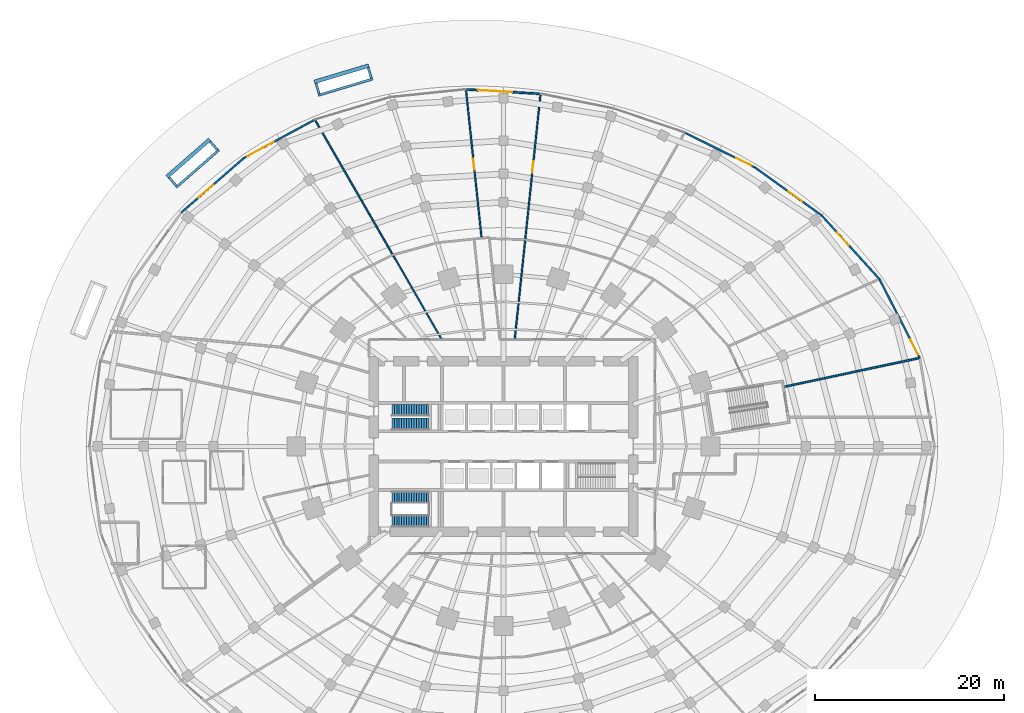
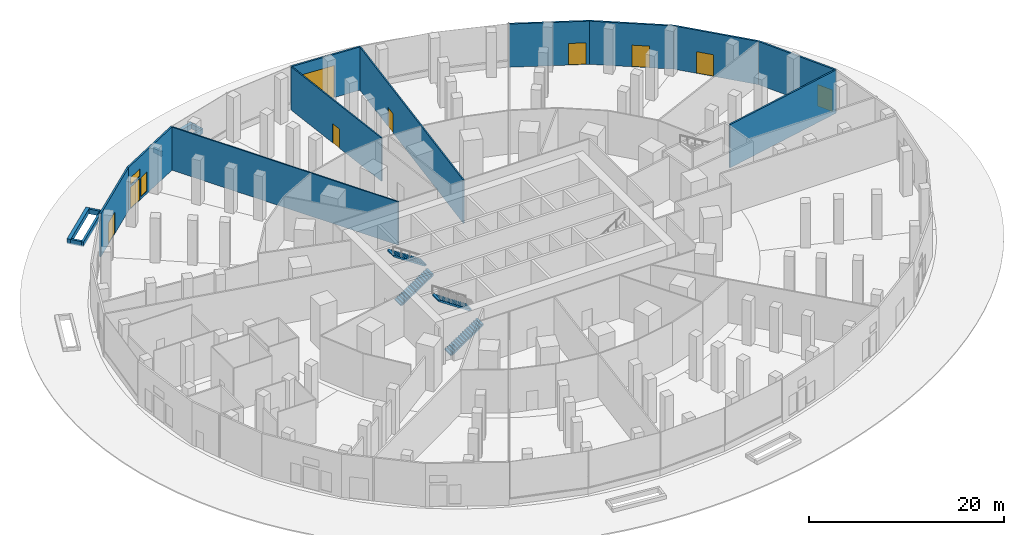
# One storey, part 20 of 23: 19 walls, 9 doors, 4 stair flights, 2 windows, 11 openings, 2 elements without a shape of their own.
"""IFC4 building model written with IfcOpenShell, lengths in metres."""

from ifc_helpers import new_model, si_unit, direction, frame, frame_2d, origin, place, context, subcontext, project, spatial, polyline, rectangle, outline, extrude, material, layer, layer_set, type_object, element, fill, aggregate, save


model = new_model("IFC4")

# Units and contexts
model_context = context("Model", 3, precision=1e-05, world=origin(), true_north=direction((0.0, 1.0)))
body_context = subcontext(model_context, "Body", "Model", "MODEL_VIEW")
ifc_project = project(units=[si_unit("LENGTHUNIT", "METRE"), si_unit("AREAUNIT", "SQUARE_METRE"), si_unit("VOLUMEUNIT", "CUBIC_METRE"), si_unit("PLANEANGLEUNIT", "RADIAN"), si_unit("MASSUNIT", "GRAM", prefix="KILO")], contexts=[model_context])

# Site, building, storey
site_placement = place(None, origin())
site = spatial("IfcSite", under=ifc_project, at=site_placement, CompositionType="ELEMENT")
building_placement = place(site_placement, origin())
building = spatial("IfcBuilding", under=site, at=building_placement, Name="Marramba Exchange Tower", CompositionType="ELEMENT")
storey_placement = place(building_placement, origin())
storey = spatial("IfcBuildingStorey", under=building, at=storey_placement, Name="L00", CompositionType="ELEMENT", Elevation=0.0)

# Wall, opening, door
ifc_material_1 = material(Name="Aluminium-framed bronze cladding on steel studs", Category="steel")
ifc_layer_1 = layer(ifc_material_1, 0.199951171875)
ifc_layer_set_1 = layer_set([ifc_layer_1], Name="Door screen wall 200")
wall_type_1 = type_object("IfcWallType", Name="Door screen wall 200", PredefinedType="SOLIDWALL", material=ifc_layer_set_1)
wall_1_placement = place(storey_placement, frame((44.00244140625, 9.35302734375, 0.0), z_axis=(0.0, 0.0, 1.0), x_axis=(-0.455866804963, 0.890048007769, 0.0)))
wall_1 = element("IfcWall", 1, at=wall_1_placement, inside=storey, type_object=wall_type_1, Name="Door screen L00 F02", PredefinedType="SOLIDWALL", context=body_context, shape_type="SweptSolid", body=[
    extrude(rectangle(XDim=9.36669921875, YDim=0.199951171875, at=frame_2d((4.683349609375, 0.0))), origin(), (0.0, 0.0, 1.0), 5.39990234375),
])
opening_1_placement = place(wall_1_placement, frame((0.39990234375, 0.0, 0.0)))
opening_1 = element("IfcOpeningElement", 2, at=opening_1_placement, cuts=wall_1, Name="Opening D14", PredefinedType="OPENING", context=body_context, shape_type="SweptSolid", body=[
    extrude(rectangle(XDim=1.800048828125, YDim=2.699951171875, at=frame_2d((0.89990234375, 1.35009765625))), frame((0.0, 0.10986328125, 0.0), z_axis=(0.0, -1.0, 0.0), x_axis=(1.0, 0.0, 0.0)), (0.0, 0.0, 1.0), 0.219970703125),
])
ifc_material_2 = material(Name="Aluminium-framed glazed door, bronze", Category="aluminium")
door_type_1 = type_object("IfcDoorType", Name="Street exit door 1800x2700", OperationType="DOUBLE_DOOR_SINGLE_SWING", PredefinedType="DOOR", material=ifc_material_2)
door_1_placement = place(opening_1_placement, frame((1.800048828125, 0.0, 0.0), z_axis=(0.0, 0.0, 1.0), x_axis=(-1.0, 0.0, 0.0)))
door_1 = element("IfcDoor", 3, at=door_1_placement, inside=storey, type_object=door_type_1, Name="D14 L00", OperationType="DOUBLE_DOOR_SINGLE_SWING", OverallHeight=2.699951171875, OverallWidth=1.800048828125, PredefinedType="DOOR", context=body_context, shape_type="SweptSolid", body=[
    extrude(rectangle(XDim=1.800048828125, YDim=2.699951171875, at=frame_2d((0.900146484375, 1.35009765625))), frame((0.0, 0.025146484375, 0.0), z_axis=(0.0, -1.0, 0.0), x_axis=(1.0, 0.0, 0.0)), (0.0, 0.0, 1.0), 0.050048828125),
])
fill(opening_1, door_1)

wall_2_placement = place(storey_placement, frame((39.732421875, 17.68994140625, 0.0), z_axis=(0.0, 0.0, 1.0), x_axis=(-0.672185050873, 0.740383182806, 0.0)))
wall_2 = element("IfcWall", 4, at=wall_2_placement, inside=storey, type_object=wall_type_1, Name="Door screen L00 F03", PredefinedType="SOLIDWALL", context=body_context, shape_type="SweptSolid", body=[
    extrude(rectangle(XDim=9.096435546875, YDim=0.199951171875, at=frame_2d((4.54833984375, 0.0))), origin(), (0.0, 0.0, 1.0), 5.39990234375),
])
opening_2_placement = place(wall_2_placement, frame((4.8662109375, 0.0, 0.0)))
opening_2 = element("IfcOpeningElement", 5, at=opening_2_placement, cuts=wall_2, Name="Opening D14", PredefinedType="OPENING", context=body_context, shape_type="SweptSolid", body=[
    extrude(rectangle(XDim=1.800048828125, YDim=2.699951171875, at=frame_2d((0.89990234375, 1.35009765625))), frame((0.0, 0.10986328125, 0.0), z_axis=(0.0, -1.0, 0.0), x_axis=(1.0, 0.0, 0.0)), (0.0, 0.0, 1.0), 0.219970703125),
])
door_2_placement = place(opening_2_placement, frame((1.800048828125, 0.0, 0.0), z_axis=(0.0, 0.0, 1.0), x_axis=(-1.0, 0.0, 0.0)))
door_2 = element("IfcDoor", 6, at=door_2_placement, inside=storey, type_object=door_type_1, Name="D14 L00", OperationType="DOUBLE_DOOR_SINGLE_SWING", OverallHeight=2.699951171875, OverallWidth=1.800048828125, PredefinedType="DOOR", context=body_context, shape_type="SweptSolid", body=[
    extrude(rectangle(XDim=1.800048828125, YDim=2.699951171875, at=frame_2d((0.900146484375, 1.35009765625))), frame((0.0, 0.025146484375, 0.0), z_axis=(0.0, -1.0, 0.0), x_axis=(1.0, 0.0, 0.0)), (0.0, 0.0, 1.0), 0.050048828125),
])
fill(opening_2, door_2)

wall_3_placement = place(storey_placement, frame((33.617919921875, 24.4248046875, 0.0), z_axis=(0.0, 0.0, 1.0), x_axis=(-0.811842698993, 0.583876212987, 0.0)))
wall_3 = element("IfcWall", 7, at=wall_3_placement, inside=storey, type_object=wall_type_1, Name="Door screen L00 F04", PredefinedType="SOLIDWALL", context=body_context, shape_type="SweptSolid", body=[
    extrude(rectangle(XDim=8.69189453125, YDim=0.199951171875, at=frame_2d((4.345947265625, 0.0))), origin(), (0.0, 0.0, 1.0), 5.39990234375),
])
opening_3_placement = place(wall_3_placement, frame((2.531982421875, 0.0, 0.0)))
opening_3 = element("IfcOpeningElement", 8, at=opening_3_placement, cuts=wall_3, Name="Opening D14", PredefinedType="OPENING", context=body_context, shape_type="SweptSolid", body=[
    extrude(rectangle(XDim=1.800048828125, YDim=2.699951171875, at=frame_2d((0.89990234375, 1.35009765625))), frame((0.0, 0.10986328125, 0.0), z_axis=(0.0, -1.0, 0.0), x_axis=(1.0, 0.0, 0.0)), (0.0, 0.0, 1.0), 0.219970703125),
])
door_3_placement = place(opening_3_placement, frame((1.800048828125, 0.0, 0.0), z_axis=(0.0, 0.0, 1.0), x_axis=(-1.0, 0.0, 0.0)))
door_3 = element("IfcDoor", 9, at=door_3_placement, inside=storey, type_object=door_type_1, Name="D14 L00", OperationType="DOUBLE_DOOR_SINGLE_SWING", OverallHeight=2.699951171875, OverallWidth=1.800048828125, PredefinedType="DOOR", context=body_context, shape_type="SweptSolid", body=[
    extrude(rectangle(XDim=1.800048828125, YDim=2.699951171875, at=frame_2d((0.900146484375, 1.35009765625))), frame((0.0, 0.025146484375, 0.0), z_axis=(0.0, -1.0, 0.0), x_axis=(1.0, 0.0, 0.0)), (0.0, 0.0, 1.0), 0.050048828125),
])
fill(opening_3, door_3)

wall_4_placement = place(storey_placement, frame((26.5615234375, 29.499755859375, 0.0), z_axis=(0.0, 0.0, 1.0), x_axis=(-0.896091912652, 0.443868543693, 0.0)))
wall_4 = element("IfcWall", 10, at=wall_4_placement, inside=storey, type_object=wall_type_1, Name="Door screen L00 F05", PredefinedType="SOLIDWALL", context=body_context, shape_type="SweptSolid", body=[
    extrude(rectangle(XDim=8.269775390625, YDim=0.199951171875, at=frame_2d((4.134765625, 0.0))), origin(), (0.0, 0.0, 1.0), 5.39990234375),
])
opening_4_placement = place(wall_4_placement, frame((0.39990234375, 0.0, 0.0)))
opening_4 = element("IfcOpeningElement", 11, at=opening_4_placement, cuts=wall_4, Name="Opening D14", PredefinedType="OPENING", context=body_context, shape_type="SweptSolid", body=[
    extrude(rectangle(XDim=1.800048828125, YDim=2.699951171875, at=frame_2d((0.89990234375, 1.35009765625))), frame((0.0, 0.10986328125, 0.0), z_axis=(0.0, -1.0, 0.0), x_axis=(1.0, 0.0, 0.0)), (0.0, 0.0, 1.0), 0.219970703125),
])
door_4_placement = place(opening_4_placement, frame((1.800048828125, 0.0, 0.0), z_axis=(0.0, 0.0, 1.0), x_axis=(-1.0, 0.0, 0.0)))
door_4 = element("IfcDoor", 12, at=door_4_placement, inside=storey, type_object=door_type_1, Name="D14 L00", OperationType="DOUBLE_DOOR_SINGLE_SWING", OverallHeight=2.699951171875, OverallWidth=1.800048828125, PredefinedType="DOOR", context=body_context, shape_type="SweptSolid", body=[
    extrude(rectangle(XDim=1.800048828125, YDim=2.699951171875, at=frame_2d((0.900146484375, 1.35009765625))), frame((0.0, 0.025146484375, 0.0), z_axis=(0.0, -1.0, 0.0), x_axis=(1.0, 0.0, 0.0)), (0.0, 0.0, 1.0), 0.050048828125),
])
fill(opening_4, door_4)

wall_5_placement = place(storey_placement, frame((3.917236328125, 37.269287109375, 0.0), z_axis=(0.0, 0.0, 1.0), x_axis=(-0.998244288685, 0.059231242672, 0.0)))
wall_5 = element("IfcWall", 13, at=wall_5_placement, inside=storey, type_object=wall_type_1, Name="Door screen L00 F08", PredefinedType="SOLIDWALL", context=body_context, shape_type="SweptSolid", body=[
    extrude(rectangle(XDim=7.8974609375, YDim=0.199951171875, at=frame_2d((3.94873046875, 0.0))), origin(), (0.0, 0.0, 1.0), 5.39990234375),
])
opening_5_placement = place(wall_5_placement, frame((2.9716796875, 0.0, 0.0)))
opening_5 = element("IfcOpeningElement", 14, at=opening_5_placement, cuts=wall_5, Name="Opening D8", PredefinedType="OPENING", context=body_context, shape_type="SweptSolid", body=[
    extrude(rectangle(XDim=3.60009765625, YDim=4.0, at=frame_2d((1.800048828125, 2.0))), frame((0.0, 0.10986328125, 0.0), z_axis=(0.0, -1.0, 0.0), x_axis=(1.0, 0.0, 0.0)), (0.0, 0.0, 1.0), 0.219970703125),
])
door_type_2 = type_object("IfcDoorType", Name="Loading dock door 3600x4000", OperationType="ROLLINGUP", PredefinedType="DOOR", material=ifc_material_2)
door_5_placement = place(opening_5_placement, origin())
door_5 = element("IfcDoor", 15, at=door_5_placement, inside=storey, type_object=door_type_2, Name="D8 L00", OperationType="ROLLINGUP", OverallHeight=4.0, OverallWidth=3.60009765625, PredefinedType="DOOR", context=body_context, shape_type="SweptSolid", body=[
    extrude(rectangle(XDim=3.60009765625, YDim=4.0, at=frame_2d((1.800048828125, 2.0))), frame((0.0, 0.02490234375, 0.0), z_axis=(0.0, -1.0, 0.0), x_axis=(1.0, 0.0, 0.0)), (0.0, 0.0, 1.0), 0.050048828125),
])
fill(opening_5, door_5)

# Wall, openings, windows, door
wall_6_placement = place(storey_placement, frame((-19.93994140625, 34.536865234375, 0.0), z_axis=(0.0, 0.0, 1.0), x_axis=(-0.879579965321, -0.475751074204, 0.0)))
wall_6 = element("IfcWall", 16, at=wall_6_placement, inside=storey, type_object=wall_type_1, Name="Door screen L00 F11", PredefinedType="SOLIDWALL", context=body_context, shape_type="SweptSolid", body=[
    extrude(rectangle(XDim=8.530517578125, YDim=0.199951171875, at=frame_2d((4.26513671875, 0.0))), origin(), (0.0, 0.0, 1.0), 5.39990234375),
])
opening_6_placement = place(wall_6_placement, frame((6.330322265625, 0.0, 0.0)))
opening_6 = element("IfcOpeningElement", 17, at=opening_6_placement, cuts=wall_6, Name="Opening D7", PredefinedType="OPENING", context=body_context, shape_type="SweptSolid", body=[
    extrude(rectangle(XDim=1.800048828125, YDim=2.699951171875, at=frame_2d((0.89990234375, 1.35009765625))), frame((0.0, 0.10986328125, 0.0), z_axis=(0.0, -1.0, 0.0), x_axis=(1.0, 0.0, 0.0)), (0.0, 0.0, 1.0), 0.219970703125),
])
opening_7_placement = place(wall_6_placement, frame((4.930419921875, 0.0, 0.300048828125)))
opening_7 = element("IfcOpeningElement", 18, at=opening_7_placement, cuts=wall_6, Name="Opening W1", PredefinedType="OPENING", context=body_context, shape_type="SweptSolid", body=[
    extrude(rectangle(XDim=1.199951171875, YDim=2.39990234375, at=frame_2d((0.60009765625, 1.199951171875))), frame((0.0, 0.10986328125, 0.0), z_axis=(0.0, -1.0, 0.0), x_axis=(1.0, 0.0, 0.0)), (0.0, 0.0, 1.0), 0.219970703125),
])
opening_8_placement = place(wall_6_placement, frame((6.330322265625, 0.0, 3.0)))
opening_8 = element("IfcOpeningElement", 19, at=opening_8_placement, cuts=wall_6, Name="Opening W2", PredefinedType="OPENING", context=body_context, shape_type="SweptSolid", body=[
    extrude(rectangle(XDim=1.800048828125, YDim=0.89990234375, at=frame_2d((0.89990234375, 0.449951171875))), frame((0.0, 0.10986328125, 0.0), z_axis=(0.0, -1.0, 0.0), x_axis=(1.0, 0.0, 0.0)), (0.0, 0.0, 1.0), 0.219970703125),
])
ifc_material_3 = material(Name="Aluminium-framed fixed light, bronze, double glazed", Category="aluminium")
window_type_1 = type_object("IfcWindowType", Name="Entrance sidelight 1200x2400", PartitioningType="SINGLE_PANEL", PredefinedType="WINDOW", material=ifc_material_3)
window_1_placement = place(opening_7_placement, origin())
window_1 = element("IfcWindow", 20, at=window_1_placement, inside=storey, type_object=window_type_1, Name="W1 L00 F11 left", OverallHeight=2.39990234375, OverallWidth=1.199951171875, PartitioningType="SINGLE_PANEL", PredefinedType="WINDOW", context=body_context, shape_type="SweptSolid", body=[
    extrude(rectangle(XDim=1.199951171875, YDim=2.39990234375, at=frame_2d((0.60009765625, 1.199951171875))), frame((0.0, 0.030029296875, 0.0), z_axis=(0.0, -1.0, 0.0), x_axis=(1.0, 0.0, 0.0)), (0.0, 0.0, 1.0), 0.06005859375),
])
fill(opening_7, window_1)
window_type_2 = type_object("IfcWindowType", Name="Entrance transom light 1800x900", PartitioningType="SINGLE_PANEL", PredefinedType="WINDOW", material=ifc_material_3)
window_2_placement = place(opening_8_placement, origin())
window_2 = element("IfcWindow", 21, at=window_2_placement, inside=storey, type_object=window_type_2, Name="W2 L00 F11 over the door", OverallHeight=0.89990234375, OverallWidth=1.800048828125, PartitioningType="SINGLE_PANEL", PredefinedType="WINDOW", context=body_context, shape_type="SweptSolid", body=[
    extrude(rectangle(XDim=1.800048828125, YDim=0.89990234375, at=frame_2d((0.89990234375, 0.449951171875))), frame((0.0, 0.030029296875, 0.0), z_axis=(0.0, -1.0, 0.0), x_axis=(1.0, 0.0, 0.0)), (0.0, 0.0, 1.0), 0.06005859375),
])
fill(opening_8, window_2)
door_type_3 = type_object("IfcDoorType", Name="Main entrance door 1800x2700", OperationType="DOUBLE_DOOR_SINGLE_SWING", PredefinedType="DOOR", material=ifc_material_2)
door_6_placement = place(opening_6_placement, frame((1.800048828125, 0.0, 0.0), z_axis=(0.0, 0.0, 1.0), x_axis=(-1.0, 0.0, 0.0)))
door_6 = element("IfcDoor", 22, at=door_6_placement, inside=storey, type_object=door_type_3, Name="D7 L00", OperationType="DOUBLE_DOOR_SINGLE_SWING", OverallHeight=2.699951171875, OverallWidth=1.800048828125, PredefinedType="DOOR", context=body_context, shape_type="SweptSolid", body=[
    extrude(rectangle(XDim=1.800048828125, YDim=2.699951171875, at=frame_2d((0.900146484375, 1.35009765625))), frame((0.0, 0.025146484375, 0.0), z_axis=(0.0, -1.0, 0.0), x_axis=(1.0, 0.0, 0.0)), (0.0, 0.0, 1.0), 0.050048828125),
])
fill(opening_6, door_6)

# Wall, opening, door
wall_7_placement = place(storey_placement, frame((-27.443115234375, 30.478515625, 0.0), z_axis=(0.0, 0.0, 1.0), x_axis=(-0.753966562676, -0.656912796623, 0.0)))
wall_7 = element("IfcWall", 23, at=wall_7_placement, inside=storey, type_object=wall_type_1, Name="Door screen L00 F12", PredefinedType="SOLIDWALL", context=body_context, shape_type="SweptSolid", body=[
    extrude(rectangle(XDim=8.7490234375, YDim=0.199951171875, at=frame_2d((4.37451171875, 0.0))), origin(), (0.0, 0.0, 1.0), 5.39990234375),
])
opening_9_placement = place(wall_7_placement, frame((4.33251953125, 0.0, 0.0)))
opening_9 = element("IfcOpeningElement", 24, at=opening_9_placement, cuts=wall_7, Name="Opening D21", PredefinedType="OPENING", context=body_context, shape_type="SweptSolid", body=[
    extrude(rectangle(XDim=2.0, YDim=2.699951171875, at=frame_2d((1.0, 1.35009765625))), frame((0.0, 0.10986328125, 0.0), z_axis=(0.0, -1.0, 0.0), x_axis=(1.0, 0.0, 0.0)), (0.0, 0.0, 1.0), 0.219970703125),
])
door_type_4 = type_object("IfcDoorType", Name="Exit door pair 2000x2700", OperationType="DOUBLE_DOOR_SINGLE_SWING", PredefinedType="DOOR", material=ifc_material_2)
door_7_placement = place(opening_9_placement, frame((2.0, 0.0, 0.0), z_axis=(0.0, 0.0, 1.0), x_axis=(-1.0, 0.0, 0.0)))
door_7 = element("IfcDoor", 25, at=door_7_placement, inside=storey, type_object=door_type_4, Name="D21 L00", OperationType="DOUBLE_DOOR_SINGLE_SWING", OverallHeight=2.699951171875, OverallWidth=2.0, PredefinedType="DOOR", context=body_context, shape_type="SweptSolid", body=[
    extrude(rectangle(XDim=2.0, YDim=2.699951171875, at=frame_2d((1.0, 1.35009765625))), frame((0.0, 0.025146484375, 0.0), z_axis=(0.0, -1.0, 0.0), x_axis=(1.0, 0.0, 0.0)), (0.0, 0.0, 1.0), 0.050048828125),
])
fill(opening_9, door_7)

# Walls
ifc_material_4 = material(Name="Core-filled concrete blockwork, rendered", Category="masonry")
ifc_layer_2 = layer(ifc_material_4, 0.18994140625)
ifc_layer_set_2 = layer_set([ifc_layer_2], Name="Equipment room wall 190")
wall_type_2 = type_object("IfcWallType", Name="Equipment room wall 190", PredefinedType="SOLIDWALL", material=ifc_layer_set_2)
wall_8_placement = place(storey_placement, frame((43.92431640625, 9.33642578125, 0.0), z_axis=(0.0, 0.0, 1.0), x_axis=(-0.978146494019, -0.207916897435, 0.0)))
element("IfcWall", 26, at=wall_8_placement, inside=storey, type_object=wall_type_2, Name="Fire control room wall L00 45", PredefinedType="SOLIDWALL", context=body_context, shape_type="SweptSolid", body=[
    extrude(rectangle(XDim=14.56396484375, YDim=0.18994140625, at=frame_2d((7.281982421875, 0.0))), origin(), (0.0, 0.0, 1.0), 5.39990234375),
])
ifc_material_5 = material(Name="Concrete N32 with spotted gum batten seat", Category="concrete")
ifc_layer_3 = layer(ifc_material_5, 0.39990234375)
ifc_layer_set_3 = layer_set([ifc_layer_3], Name="Planter seat wall 400")
wall_type_3 = type_object("IfcWallType", Name="Planter seat wall 400", PredefinedType="SOLIDWALL", material=ifc_layer_set_3)
for number, where, z_axis, x_axis, name in (
    (27, (-14.236572265625, 40.25244140625, -0.14990234375), (0.0, 0.0, 1.0), (-0.958018696907, -0.286705731329, 0.0), "Planter P1 street side wall"),
    (28, (-31.041748046875, 32.447265625, -0.14990234375), (0.0, 0.0, 1.0), (-0.753337421731, -0.657634190884, 0.0), "Planter P2 street side wall"),
):
    element("IfcWall", number, at=place(storey_placement, frame(where, z_axis=z_axis, x_axis=x_axis)), inside=storey, type_object=wall_type_3, Name=name, PredefinedType="SOLIDWALL", context=body_context, shape_type="SweptSolid", body=[
        extrude(rectangle(XDim=6.0, YDim=0.39990234375, at=frame_2d((3.0, 0.0))), origin(), (0.0, 0.0, 1.0), 0.599853515625),
    ])
ifc_material_6 = material(Name="Concrete N32, off-form, bronze capping", Category="concrete")
ifc_layer_4 = layer(ifc_material_6, 0.25)
ifc_layer_set_4 = layer_set([ifc_layer_4], Name="Planter wall 250")
wall_type_4 = type_object("IfcWallType", Name="Planter wall 250", PredefinedType="SOLIDWALL", material=ifc_layer_set_4)
wall_9_placement = place(storey_placement, frame((-13.813720703125, 38.83935546875, -0.14990234375), z_axis=(0.0, 0.0, 1.0), x_axis=(-0.958018696907, -0.286705731329, 0.0)))
element("IfcWall", 29, at=wall_9_placement, inside=storey, type_object=wall_type_4, Name="Planter P1 facade side wall", PredefinedType="SOLIDWALL", context=body_context, shape_type="SweptSolid", body=[
    extrude(rectangle(XDim=6.0, YDim=0.25, at=frame_2d((3.0, 0.0))), origin(), (0.0, 0.0, 1.0), 0.599853515625),
])
wall_10_placement = place(storey_placement, frame((-13.96923828125, 38.92333984375, -0.14990234375), z_axis=(0.0, 0.0, 1.0), x_axis=(-0.28684139918, 0.957978085196, 0.0)))
element("IfcWall", 30, at=wall_10_placement, inside=storey, type_object=wall_type_4, Name="Planter P1 end wall", PredefinedType="SOLIDWALL", context=body_context, shape_type="SweptSolid", body=[
    extrude(rectangle(XDim=1.14990234375, YDim=0.25, at=frame_2d((0.574951171875, 0.0))), origin(), (0.0, 0.0, 1.0), 0.599853515625),
])
wall_11_placement = place(storey_placement, frame((-19.477783203125, 37.274658203125, -0.14990234375), z_axis=(0.0, 0.0, 1.0), x_axis=(-0.286783068166, 0.957995548953, 0.0)))
element("IfcWall", 31, at=wall_11_placement, inside=storey, type_object=wall_type_4, Name="Planter P1 end wall", PredefinedType="SOLIDWALL", context=body_context, shape_type="SweptSolid", body=[
    extrude(rectangle(XDim=1.150146484375, YDim=0.25, at=frame_2d((0.5751953125, 0.0))), origin(), (0.0, 0.0, 1.0), 0.599853515625),
])
wall_12_placement = place(storey_placement, frame((-30.07177734375, 31.336181640625, -0.14990234375), z_axis=(0.0, 0.0, 1.0), x_axis=(-0.753337421731, -0.657634190884, 0.0)))
element("IfcWall", 32, at=wall_12_placement, inside=storey, type_object=wall_type_4, Name="Planter P2 facade side wall", PredefinedType="SOLIDWALL", context=body_context, shape_type="SweptSolid", body=[
    extrude(rectangle(XDim=6.0, YDim=0.25, at=frame_2d((3.0, 0.0))), origin(), (0.0, 0.0, 1.0), 0.599853515625),
])
wall_13_placement = place(storey_placement, frame((-30.248046875, 31.34814453125, -0.14990234375), z_axis=(0.0, 0.0, 1.0), x_axis=(-0.657617494146, 0.753351997006, 0.0)))
element("IfcWall", 33, at=wall_13_placement, inside=storey, type_object=wall_type_4, Name="Planter P2 end wall", PredefinedType="SOLIDWALL", context=body_context, shape_type="SweptSolid", body=[
    extrude(rectangle(XDim=1.150146484375, YDim=0.25, at=frame_2d((0.5751953125, 0.0))), origin(), (0.0, 0.0, 1.0), 0.599853515625),
])
wall_14_placement = place(storey_placement, frame((-34.579833984375, 27.566650390625, -0.14990234375), z_axis=(0.0, 0.0, 1.0), x_axis=(-0.657602180016, 0.753365364772, 0.0)))
element("IfcWall", 34, at=wall_14_placement, inside=storey, type_object=wall_type_4, Name="Planter P2 end wall", PredefinedType="SOLIDWALL", context=body_context, shape_type="SweptSolid", body=[
    extrude(rectangle(XDim=1.14990234375, YDim=0.25, at=frame_2d((0.574951171875, 0.0))), origin(), (0.0, 0.0, 1.0), 0.599853515625),
])

# Wall, opening, door
ifc_material_7 = material(Name="Fire-rated plasterboard on steel studs, acoustic insulation", Category="steel")
ifc_layer_5 = layer(ifc_material_7, 0.14990234375)
ifc_layer_set_5 = layer_set([ifc_layer_5], Name="Tenancy wall 150")
wall_type_5 = type_object("IfcWallType", Name="Tenancy wall 150", PredefinedType="PARTITIONING", material=ifc_layer_set_5)
wall_15_placement = place(storey_placement, frame((1.187744140625, 11.300048828125, 0.0), z_axis=(0.0, 0.0, 1.0), x_axis=(0.104522215703, 0.994522551994, 0.0)))
wall_15 = element("IfcWall", 35, at=wall_15_placement, inside=storey, type_object=wall_type_5, Name="Tenancy wall L00 57", PredefinedType="PARTITIONING", context=body_context, shape_type="SweptSolid", body=[
    extrude(rectangle(XDim=26.0322265625, YDim=0.14990234375, at=frame_2d((13.01611328125, 0.0))), origin(), (0.0, 0.0, 1.0), 5.39990234375),
])
opening_10_placement = place(wall_15_placement, frame((17.718017578125, 0.0, 0.0)))
opening_10 = element("IfcOpeningElement", 36, at=opening_10_placement, cuts=wall_15, Name="Opening D13", PredefinedType="OPENING", context=body_context, shape_type="SweptSolid", body=[
    extrude(rectangle(XDim=1.199951171875, YDim=2.39990234375, at=frame_2d((0.60009765625, 1.199951171875))), frame((0.0, 0.0849609375, 0.0), z_axis=(0.0, -1.0, 0.0), x_axis=(1.0, 0.0, 0.0)), (0.0, 0.0, 1.0), 0.169921875),
])
ifc_material_8 = material(Name="Steel-framed door", Category="steel")
door_type_5 = type_object("IfcDoorType", Name="Tenancy entry door 1200x2400", OperationType="SINGLE_SWING_LEFT", PredefinedType="DOOR", material=ifc_material_8)
door_8_placement = place(opening_10_placement, origin())
door_8 = element("IfcDoor", 37, at=door_8_placement, inside=storey, type_object=door_type_5, Name="D13 Facilities Management Office L00", OperationType="SINGLE_SWING_RIGHT", OverallHeight=2.39990234375, OverallWidth=1.199951171875, PredefinedType="DOOR", context=body_context, shape_type="SweptSolid", body=[
    extrude(rectangle(XDim=1.199951171875, YDim=2.39990234375, at=frame_2d((0.60009765625, 1.199951171875))), frame((0.0, 0.02490234375, 0.0), z_axis=(0.0, -1.0, 0.0), x_axis=(1.0, 0.0, 0.0)), (0.0, 0.0, 1.0), 0.050048828125),
])
fill(opening_10, door_8)

wall_16_placement = place(storey_placement, frame((-2.3134765625, 22.010986328125, 0.0), z_axis=(0.0, 0.0, 1.0), x_axis=(-0.104529687623, 0.994521766683, 0.0)))
wall_16 = element("IfcWall", 38, at=wall_16_placement, inside=storey, type_object=wall_type_5, Name="Tenancy wall L00 62", PredefinedType="PARTITIONING", context=body_context, shape_type="SweptSolid", body=[
    extrude(rectangle(XDim=15.732666015625, YDim=0.14990234375, at=frame_2d((7.8662109375, 0.0))), origin(), (0.0, 0.0, 1.0), 5.39990234375),
])
opening_11_placement = place(wall_16_placement, frame((7.26611328125, 0.0, 0.0)))
opening_11 = element("IfcOpeningElement", 39, at=opening_11_placement, cuts=wall_16, Name="Opening D13", PredefinedType="OPENING", context=body_context, shape_type="SweptSolid", body=[
    extrude(rectangle(XDim=1.199951171875, YDim=2.39990234375, at=frame_2d((0.60009765625, 1.199951171875))), frame((0.0, 0.0849609375, 0.0), z_axis=(0.0, -1.0, 0.0), x_axis=(1.0, 0.0, 0.0)), (0.0, 0.0, 1.0), 0.169921875),
])
door_9_placement = place(opening_11_placement, frame((1.199951171875, 0.0, 0.0), z_axis=(0.0, 0.0, 1.0), x_axis=(-1.0, 0.0, 0.0)))
door_9 = element("IfcDoor", 40, at=door_9_placement, inside=storey, type_object=door_type_5, Name="D13 Building Services Office L00", OperationType="SINGLE_SWING_RIGHT", OverallHeight=2.39990234375, OverallWidth=1.199951171875, PredefinedType="DOOR", context=body_context, shape_type="SweptSolid", body=[
    extrude(rectangle(XDim=1.199951171875, YDim=2.39990234375, at=frame_2d((0.599853515625, 1.199951171875))), frame((0.0, 0.025146484375, 0.0), z_axis=(0.0, -1.0, 0.0), x_axis=(1.0, 0.0, 0.0)), (0.0, 0.0, 1.0), 0.050048828125),
])
fill(opening_11, door_9)

# Wall
wall_17_placement = place(storey_placement, frame((-6.524169921875, 11.300048828125, 0.0), z_axis=(0.0, 0.0, 1.0), x_axis=(-0.499999476762, 0.866025705876, 0.0)))
element("IfcWall", 41, at=wall_17_placement, inside=storey, type_object=wall_type_5, Name="Tenancy wall L00 66", PredefinedType="PARTITIONING", context=body_context, shape_type="SweptSolid", body=[
    extrude(rectangle(XDim=26.75146484375, YDim=0.14990234375, at=frame_2d((13.375732421875, 0.0))), origin(), (0.0, 0.0, 1.0), 5.39990234375),
])

# Stair, stair flights
ifc_material_9 = material(Name="Concrete N40 (40 MPa)", Category="concrete")
stair_type_1 = type_object("IfcStairType", Name="Exit stair ST1 5600 x 1250", PredefinedType="HALF_TURN_STAIR", material=ifc_material_9)
stair_1_placement = place(storey_placement, origin())
stair_1 = element("IfcStair", 42, at=stair_1_placement, inside=storey, type_object=stair_type_1, Name="Exit stair ST1 L00", PredefinedType="HALF_TURN_STAIR")
stair_flight_type_1 = type_object("IfcStairFlightType", Name="ST1 stair flight 1750 riser 1250 wide", PredefinedType="STRAIGHT", material=ifc_material_9)
stair_flight_1_placement = place(storey_placement, frame((-11.800048828125, 2.375, 0.0), z_axis=(0.0, 0.0, 1.0), x_axis=(1.0, 0.0, 0.0)))
stair_flight_1 = element("IfcStairFlight", 43, at=stair_flight_1_placement, type_object=stair_flight_type_1, Name="ST1 flight 1", NumberOfRisers=16, NumberOfTreads=15, PredefinedType="STRAIGHT", RiserHeight=0.175, TreadLength=0.26, context=body_context, shape_type="SweptSolid", body=[
    extrude(outline(polyline([(0.0, 0.0), (0.0, 0.175048828125), (0.260009765625, 0.175048828125), (0.260009765625, 0.35009765625), (0.52001953125, 0.35009765625), (0.52001953125, 0.52490234375), (0.780029296875, 0.52490234375), (0.780029296875, 0.699951171875), (1.0400390625, 0.699951171875), (1.0400390625, 0.875), (1.300048828125, 0.875), (1.300048828125, 1.050048828125), (1.56005859375, 1.050048828125), (1.56005859375, 1.22509765625), (1.820068359375, 1.22509765625), (1.820068359375, 1.39990234375), (2.080078125, 1.39990234375), (2.080078125, 1.574951171875), (2.340087890625, 1.574951171875), (2.340087890625, 1.75), (2.60009765625, 1.75), (2.60009765625, 1.925048828125), (2.860107421875, 1.925048828125), (2.860107421875, 2.10009765625), (3.1201171875, 2.10009765625), (3.1201171875, 2.27490234375), (3.3798828125, 2.27490234375), (3.3798828125, 2.449951171875), (3.639892578125, 2.449951171875), (3.639892578125, 2.625), (3.89990234375, 2.625), (3.89990234375, 2.800048828125), (3.89990234375, 2.4443359375), (0.2685546875, 0.0), (0.0, 0.0)])), frame((0.0, 0.625, 0.0), z_axis=(0.0, -1.0, 0.0), x_axis=(1.0, 0.0, 0.0)), (0.0, 0.0, 1.0), 1.25),
])
stair_flight_2_placement = place(storey_placement, frame((-7.89990234375, 3.824951171875, 2.800048828125), z_axis=(0.0, 0.0, 1.0), x_axis=(-1.0, 0.0, 0.0)))
stair_flight_2 = element("IfcStairFlight", 44, at=stair_flight_2_placement, type_object=stair_flight_type_1, Name="ST1 flight 2", NumberOfRisers=16, NumberOfTreads=15, PredefinedType="STRAIGHT", RiserHeight=0.175, TreadLength=0.26, context=body_context, shape_type="SweptSolid", body=[
    extrude(outline(polyline([(0.0, 0.0), (0.0, 0.175048828125), (0.260009765625, 0.175048828125), (0.260009765625, 0.35009765625), (0.52001953125, 0.35009765625), (0.52001953125, 0.52490234375), (0.780029296875, 0.52490234375), (0.780029296875, 0.699951171875), (1.0400390625, 0.699951171875), (1.0400390625, 0.875), (1.300048828125, 0.875), (1.300048828125, 1.050048828125), (1.56005859375, 1.050048828125), (1.56005859375, 1.22509765625), (1.820068359375, 1.22509765625), (1.820068359375, 1.39990234375), (2.080078125, 1.39990234375), (2.080078125, 1.574951171875), (2.340087890625, 1.574951171875), (2.340087890625, 1.75), (2.60009765625, 1.75), (2.60009765625, 1.925048828125), (2.860107421875, 1.925048828125), (2.860107421875, 2.10009765625), (3.1201171875, 2.10009765625), (3.1201171875, 2.27490234375), (3.3798828125, 2.27490234375), (3.3798828125, 2.449951171875), (3.639892578125, 2.449951171875), (3.639892578125, 2.625), (3.89990234375, 2.625), (3.89990234375, 2.800048828125), (3.89990234375, 2.4443359375), (0.2685546875, 0.0), (0.0, 0.0)])), frame((0.0, 0.625, 0.0), z_axis=(0.0, -1.0, 0.0), x_axis=(1.0, 0.0, 0.0)), (0.0, 0.0, 1.0), 1.25),
])
aggregate(stair_1, [stair_flight_1, stair_flight_2])

stair_type_2 = type_object("IfcStairType", Name="Exit stair ST3 5600 x 1250", PredefinedType="HALF_TURN_STAIR", material=ifc_material_9)
stair_2_placement = place(storey_placement, origin())
stair_2 = element("IfcStair", 45, at=stair_2_placement, inside=storey, type_object=stair_type_2, Name="Exit stair ST3 L00", PredefinedType="HALF_TURN_STAIR")
stair_flight_type_2 = type_object("IfcStairFlightType", Name="ST3 stair flight 1750 riser 1250 wide", PredefinedType="STRAIGHT", material=ifc_material_9)
stair_flight_3_placement = place(storey_placement, frame((-11.800048828125, -7.875, 0.0), z_axis=(0.0, 0.0, 1.0), x_axis=(1.0, 0.0, 0.0)))
stair_flight_3 = element("IfcStairFlight", 46, at=stair_flight_3_placement, type_object=stair_flight_type_2, Name="ST3 flight 1", NumberOfRisers=16, NumberOfTreads=15, PredefinedType="STRAIGHT", RiserHeight=0.175, TreadLength=0.26, context=body_context, shape_type="SweptSolid", body=[
    extrude(outline(polyline([(0.0, 0.0), (0.0, 0.175048828125), (0.260009765625, 0.175048828125), (0.260009765625, 0.35009765625), (0.52001953125, 0.35009765625), (0.52001953125, 0.52490234375), (0.780029296875, 0.52490234375), (0.780029296875, 0.699951171875), (1.0400390625, 0.699951171875), (1.0400390625, 0.875), (1.300048828125, 0.875), (1.300048828125, 1.050048828125), (1.56005859375, 1.050048828125), (1.56005859375, 1.22509765625), (1.820068359375, 1.22509765625), (1.820068359375, 1.39990234375), (2.080078125, 1.39990234375), (2.080078125, 1.574951171875), (2.340087890625, 1.574951171875), (2.340087890625, 1.75), (2.60009765625, 1.75), (2.60009765625, 1.925048828125), (2.860107421875, 1.925048828125), (2.860107421875, 2.10009765625), (3.1201171875, 2.10009765625), (3.1201171875, 2.27490234375), (3.3798828125, 2.27490234375), (3.3798828125, 2.449951171875), (3.639892578125, 2.449951171875), (3.639892578125, 2.625), (3.89990234375, 2.625), (3.89990234375, 2.800048828125), (3.89990234375, 2.4443359375), (0.2685546875, 0.0), (0.0, 0.0)])), frame((0.0, 0.625, 0.0), z_axis=(0.0, -1.0, 0.0), x_axis=(1.0, 0.0, 0.0)), (0.0, 0.0, 1.0), 1.25),
])
stair_flight_4_placement = place(storey_placement, frame((-7.89990234375, -5.375, 2.800048828125), z_axis=(0.0, 0.0, 1.0), x_axis=(-1.0, 0.0, 0.0)))
stair_flight_4 = element("IfcStairFlight", 47, at=stair_flight_4_placement, type_object=stair_flight_type_2, Name="ST3 flight 2", NumberOfRisers=16, NumberOfTreads=15, PredefinedType="STRAIGHT", RiserHeight=0.175, TreadLength=0.26, context=body_context, shape_type="SweptSolid", body=[
    extrude(outline(polyline([(0.0, 0.0), (0.0, 0.175048828125), (0.260009765625, 0.175048828125), (0.260009765625, 0.35009765625), (0.52001953125, 0.35009765625), (0.52001953125, 0.52490234375), (0.780029296875, 0.52490234375), (0.780029296875, 0.699951171875), (1.0400390625, 0.699951171875), (1.0400390625, 0.875), (1.300048828125, 0.875), (1.300048828125, 1.050048828125), (1.56005859375, 1.050048828125), (1.56005859375, 1.22509765625), (1.820068359375, 1.22509765625), (1.820068359375, 1.39990234375), (2.080078125, 1.39990234375), (2.080078125, 1.574951171875), (2.340087890625, 1.574951171875), (2.340087890625, 1.75), (2.60009765625, 1.75), (2.60009765625, 1.925048828125), (2.860107421875, 1.925048828125), (2.860107421875, 2.10009765625), (3.1201171875, 2.10009765625), (3.1201171875, 2.27490234375), (3.3798828125, 2.27490234375), (3.3798828125, 2.449951171875), (3.639892578125, 2.449951171875), (3.639892578125, 2.625), (3.89990234375, 2.625), (3.89990234375, 2.800048828125), (3.89990234375, 2.4443359375), (0.2685546875, 0.0), (0.0, 0.0)])), frame((0.0, 0.625, 0.0), z_axis=(0.0, -1.0, 0.0), x_axis=(1.0, 0.0, 0.0)), (0.0, 0.0, 1.0), 1.25),
])
aggregate(stair_2, [stair_flight_3, stair_flight_4])

save(model, "model.ifc")
